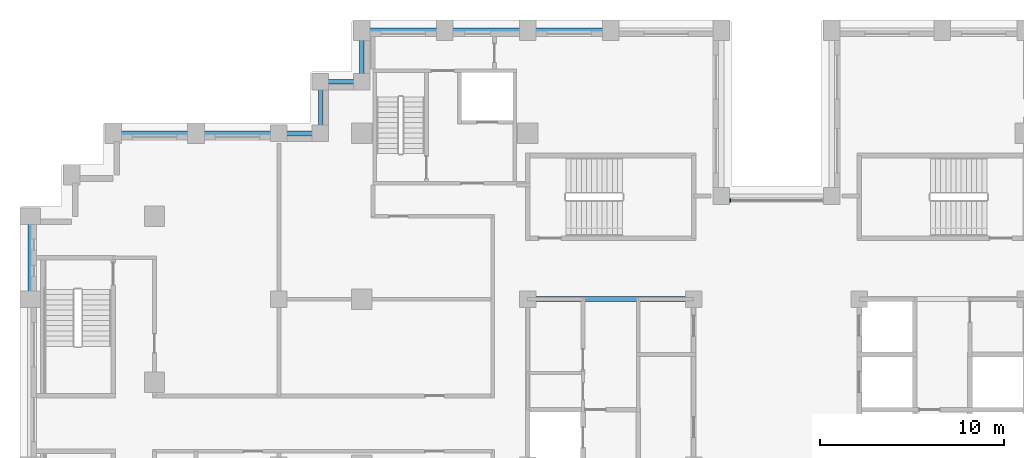
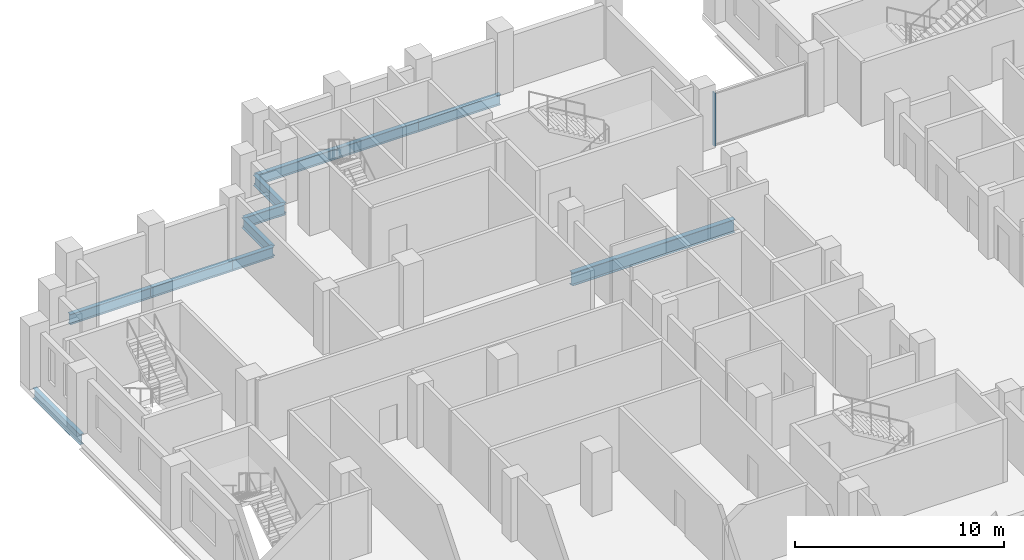
# One storey, part 3 of 15: 11 beams, 1 member, 1 element without a shape of its own.
"""IFC4 building model written with IfcOpenShell, lengths in metres."""

from ifc_helpers import new_model, si_unit, direction, frame, origin, origin_2d, place, context, subcontext, project, spatial, rectangle, i_section, extrude, material, layer, layer_set, material_profile, profile_set, type_object, element, aggregate, save


model = new_model("IFC4")

# Units and contexts
model_context = context("Model", 3, precision=1e-05, world=origin(), true_north=direction((0.0, 1.0)))
body_context = subcontext(model_context, "Body", "Model", "MODEL_VIEW")
ifc_project = project(units=[si_unit("LENGTHUNIT", "METRE"), si_unit("AREAUNIT", "SQUARE_METRE"), si_unit("VOLUMEUNIT", "CUBIC_METRE"), si_unit("PLANEANGLEUNIT", "RADIAN"), si_unit("MASSUNIT", "GRAM", prefix="KILO")], contexts=[model_context])

# Site, building, storey
site_placement = place(None, origin())
site = spatial("IfcSite", under=ifc_project, at=site_placement, CompositionType="ELEMENT")
building_placement = place(site_placement, origin())
building = spatial("IfcBuilding", under=site, at=building_placement, Name="Corbelhall Arena Tower", CompositionType="ELEMENT")
storey_placement = place(building_placement, frame((0.0, 0.0, 130.0)))
storey = spatial("IfcBuildingStorey", under=building, at=storey_placement, Name="L24", CompositionType="ELEMENT", Elevation=130.0)

# Curtain wall, member
ifc_material_1 = material(Name="Aluminium black anodised", Category="aluminium")
ifc_layer = layer(ifc_material_1, 0.199951171875)
ifc_layer_set = layer_set([ifc_layer], Name="EV-CW1 Slot back wall")
curtain_wall_type = type_object("IfcCurtainWallType", Name="EV-CW1 Slot back wall", PredefinedType="NOTDEFINED", material=ifc_layer_set)
curtain_wall_placement = place(storey_placement, origin())
curtain_wall = element("IfcCurtainWall", 1, at=curtain_wall_placement, inside=storey, type_object=curtain_wall_type, Name="Curtain wall CW1", PredefinedType="NOTDEFINED")
ifc_material_profile_1 = material_profile(ifc_material_1, rectangle(XDim=0.199951171875, YDim=0.074951171875, at=origin_2d()))
ifc_profile_set_1 = profile_set([ifc_material_profile_1], Name="Aluminium black anodised")
member_type = type_object("IfcMemberType", Name="EV-CW1-MULLION", PredefinedType="MULLION", material=ifc_profile_set_1)
member_placement = place(storey_placement, frame((-2.512451171875, 14.35009765625, 0.0), z_axis=(0.0, 0.0, 1.0), x_axis=(0.0, -1.0, 0.0)))
member = element("IfcMember", 2, at=member_placement, type_object=member_type, Name="CW1 mullion 2", PredefinedType="MULLION", context=body_context, shape_type="SweptSolid", body=[
    extrude(rectangle(XDim=0.199951171875, YDim=0.074951171875, at=origin_2d()), origin(), (0.0, 0.0, 1.0), 3.10009765625),
])
aggregate(curtain_wall, [member])

# Beams
ifc_material_2 = material(Name="Steel ASTM A992 Gr50", Category="steel")
ifc_material_profile_2 = material_profile(ifc_material_2, i_section(OverallWidth=0.2666015625, OverallDepth=0.761962890625, WebThickness=0.014404296875, FlangeThickness=0.021484375, at=origin_2d()))
ifc_profile_set_2 = profile_set([ifc_material_profile_2], Name="Steel ASTM A992 Gr50")
beam_type_1 = type_object("IfcBeamType", Name="ST-BEAM-W30x116", PredefinedType="BEAM", material=ifc_profile_set_2)
beam_1_placement = place(storey_placement, frame((-13.5, 9.0, -0.680908203125), z_axis=(1.0, 0.0, 0.0), x_axis=(0.0, 1.0, 0.0)))
element("IfcBeam", 3, at=beam_1_placement, inside=storey, type_object=beam_type_1, Name="Beam CEW 6", PredefinedType="BEAM", context=body_context, shape_type="SweptSolid", body=[
    extrude(i_section(OverallWidth=0.2666015625, OverallDepth=0.761962890625, WebThickness=0.014404296875, FlangeThickness=0.021484375, at=origin_2d()), origin(), (0.0, 0.0, 1.0), 9.0),
])
ifc_material_profile_3 = material_profile(ifc_material_2, i_section(OverallWidth=0.22900390625, OverallDepth=0.612060546875, WebThickness=0.011962890625, FlangeThickness=0.01953125, at=origin_2d()))
ifc_profile_set_3 = profile_set([ifc_material_profile_3], Name="Steel ASTM A992 Gr50")
beam_type_2 = type_object("IfcBeamType", Name="ST-SPANDREL-W24x84", PredefinedType="SPANDREL", material=ifc_profile_set_3)
for number, where, z_axis, x_axis, name in (
    (4, (-40.5, 9.0, -0.60595703125), (0.0, 1.0, 0.0), (-1.0, 0.0, 0.0), "Beam SP 2"),
    (5, (-31.5, 18.0, -0.60595703125), (1.0, 0.0, 0.0), (0.0, 1.0, 0.0), "Beam SP 5"),
    (6, (-36.0, 18.0, -0.60595703125), (1.0, 0.0, 0.0), (0.0, 1.0, 0.0), "Beam SP 6"),
    (7, (-13.5, 23.60009765625, -0.60595703125), (1.0, 0.0, 0.0), (0.0, 1.0, 0.0), "Beam SP 24"),
    (8, (-18.0, 23.60009765625, -0.60595703125), (1.0, 0.0, 0.0), (0.0, 1.0, 0.0), "Beam SP 25"),
    (9, (-22.5, 23.60009765625, -0.60595703125), (1.0, 0.0, 0.0), (0.0, 1.0, 0.0), "Beam SP 26"),
):
    element("IfcBeam", number, at=place(storey_placement, frame(where, z_axis=z_axis, x_axis=x_axis)), inside=storey, type_object=beam_type_2, Name=name, PredefinedType="SPANDREL", context=body_context, shape_type="SweptSolid", body=[
        extrude(i_section(OverallWidth=0.22900390625, OverallDepth=0.612060546875, WebThickness=0.011962890625, FlangeThickness=0.01953125, at=origin_2d()), origin(), (0.0, 0.0, 1.0), 4.5),
    ])
beam_2_placement = place(storey_placement, frame((-27.0, 18.0, -0.60595703125), z_axis=(1.0, 0.0, 0.0), x_axis=(0.0, 1.0, 0.0)))
element("IfcBeam", 10, at=beam_2_placement, inside=storey, type_object=beam_type_2, Name="Beam SP 37", PredefinedType="SPANDREL", context=body_context, shape_type="SweptSolid", body=[
    extrude(i_section(OverallWidth=0.22900390625, OverallDepth=0.612060546875, WebThickness=0.011962890625, FlangeThickness=0.01953125, at=origin_2d()), origin(), (0.0, 0.0, 1.0), 2.25),
])
beam_3_placement = place(storey_placement, frame((-22.5, 20.800048828125, -0.60595703125), z_axis=(0.0, 1.0, 0.0), x_axis=(-1.0, 0.0, 0.0)))
element("IfcBeam", 11, at=beam_3_placement, inside=storey, type_object=beam_type_2, Name="Beam SP 46", PredefinedType="SPANDREL", context=body_context, shape_type="SweptSolid", body=[
    extrude(i_section(OverallWidth=0.22900390625, OverallDepth=0.612060546875, WebThickness=0.011962890625, FlangeThickness=0.01953125, at=origin_2d()), origin(), (0.0, 0.0, 1.0), 2.800048828125),
])
beam_4_placement = place(storey_placement, frame((-24.75, 20.800048828125, -0.60595703125), z_axis=(1.0, 0.0, 0.0), x_axis=(0.0, 1.0, 0.0)))
element("IfcBeam", 12, at=beam_4_placement, inside=storey, type_object=beam_type_2, Name="Beam SP 47", PredefinedType="SPANDREL", context=body_context, shape_type="SweptSolid", body=[
    extrude(i_section(OverallWidth=0.22900390625, OverallDepth=0.612060546875, WebThickness=0.011962890625, FlangeThickness=0.01953125, at=origin_2d()), origin(), (0.0, 0.0, 1.0), 2.25),
])
beam_5_placement = place(storey_placement, frame((-24.75, 18.0, -0.60595703125), z_axis=(0.0, 1.0, 0.0), x_axis=(-1.0, 0.0, 0.0)))
element("IfcBeam", 13, at=beam_5_placement, inside=storey, type_object=beam_type_2, Name="Beam SP 48", PredefinedType="SPANDREL", context=body_context, shape_type="SweptSolid", body=[
    extrude(i_section(OverallWidth=0.22900390625, OverallDepth=0.612060546875, WebThickness=0.011962890625, FlangeThickness=0.01953125, at=origin_2d()), origin(), (0.0, 0.0, 1.0), 2.800048828125),
])

save(model, "model.ifc")
